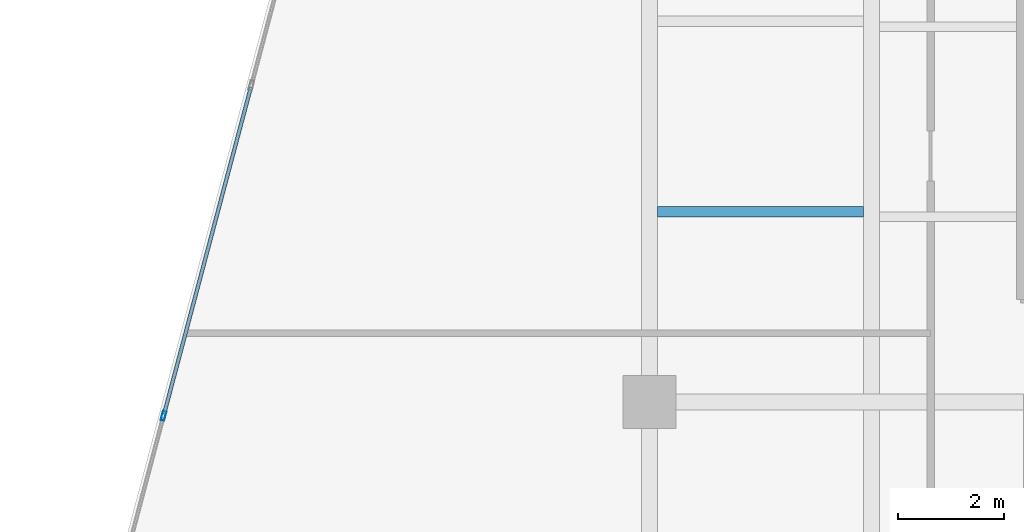
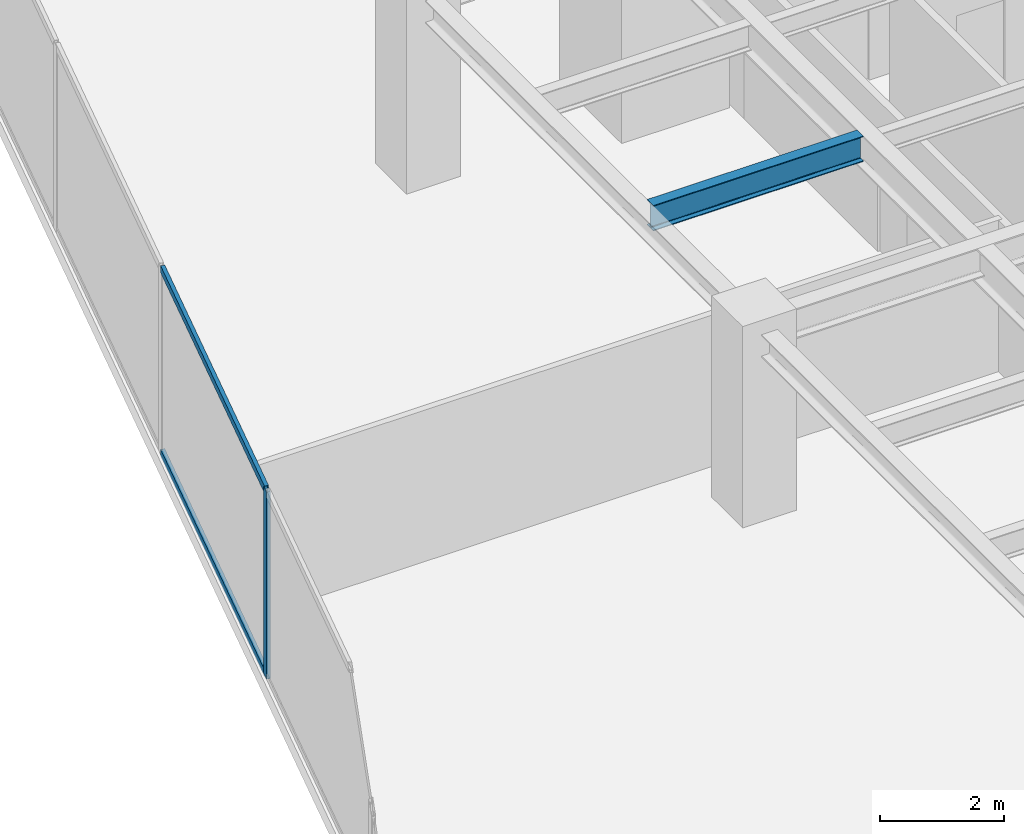
# One storey, part 8 of 27: 3 members, 1 beam, 1 element without a shape of its own.
"""IFC4 building model written with IfcOpenShell, lengths in metres."""

import ifcopenshell
import ifcopenshell.guid

model = None  # the IFC model being written
_history = None  # IfcOwnerHistory: only IFC2X3 demands one
_inside = {}  # id of a spatial element -> (the spatial element, [elements in it])
_under = {}  # id of a project, library or spatial element -> (it, [spatial elements below it])
_declared = {}  # id of a project -> (the project, [libraries it declares])
_typed = {}  # id of a type object -> (the type object, [elements of that type])
_made_of = {}  # id of a material, layer set ... -> (it, [elements and type objects made of it])


def new_model(schema):
    """Start an empty IFC model of exactly this schema.

    Asked for "IFC4X3", IfcOpenShell would pick the latest addendum, in which some entities
    have other attributes; the version numbers below select the first issue.
    IFC2X3 requires an IfcOwnerHistory on every rooted entity: one is made here for all.
    """
    global model, _history
    if schema == "IFC4X3":
        model = ifcopenshell.file(schema_version=(4, 3, 0, 0))
    else:
        model = ifcopenshell.file(schema=schema)
    _inside.clear()
    _under.clear()
    _declared.clear()
    _typed.clear()
    _made_of.clear()
    _history = None
    if model.schema == "IFC2X3":
        org = make("IfcOrganization", Name="unknown")
        user = make(
            "IfcPersonAndOrganization",
            ThePerson=make("IfcPerson", FamilyName="unknown"),
            TheOrganization=org,
        )
        app = make(
            "IfcApplication",
            ApplicationDeveloper=org,
            Version="unknown",
            ApplicationFullName="unknown",
            ApplicationIdentifier="unknown",
        )
        _history = make(
            "IfcOwnerHistory",
            OwningUser=user,
            OwningApplication=app,
            ChangeAction="ADDED",
            CreationDate=0,
        )
    return model


def make(cls, **values):
    """One entity of the class cls with the attributes given. An attribute that is None is left unset."""
    return model.create_entity(
        cls, **{name: value for name, value in values.items() if value is not None}
    )


def rooted(cls, **values):
    """An entity with a GlobalId (a new one), such as an element, a storey or a relation."""
    return make(cls, GlobalId=ifcopenshell.guid.new(), OwnerHistory=_history, **values)


def si_unit(unit_type, name, prefix=None):
    """IfcSIUnit, for example si_unit("LENGTHUNIT", "METRE", prefix="MILLI")."""
    return make("IfcSIUnit", UnitType=unit_type, Prefix=prefix, Name=name)


def assignment(units):
    """IfcUnitAssignment: the units of a project."""
    return None if units is None else make("IfcUnitAssignment", Units=units)


def point(xyz):
    """IfcCartesianPoint."""
    return None if xyz is None else make("IfcCartesianPoint", Coordinates=xyz)


def direction(xyz):
    """IfcDirection."""
    return None if xyz is None else make("IfcDirection", DirectionRatios=xyz)


def frame(location, z_axis=None, x_axis=None):
    """IfcAxis2Placement3D, a coordinate frame: its origin and axes. An axis left out is left unset."""
    return make(
        "IfcAxis2Placement3D",
        Location=point(location),
        Axis=direction(z_axis),
        RefDirection=direction(x_axis),
    )


def frame_2d(location, x_axis=None):
    """IfcAxis2Placement2D, a coordinate frame in the plane: its origin and x axis."""
    return make(
        "IfcAxis2Placement2D", Location=point(location), RefDirection=direction(x_axis)
    )


def origin():
    """The frame at (0, 0, 0) with its axes left unset."""
    return frame((0.0, 0.0, 0.0))


def origin_2d():
    """The frame at (0, 0) in the plane with its x axis left unset."""
    return frame_2d((0.0, 0.0))


def place(relative_to, where):
    """IfcLocalPlacement: puts the frame where relative to a parent placement (None: the world)."""
    return make(
        "IfcLocalPlacement", PlacementRelTo=relative_to, RelativePlacement=where
    )


def context(
    kind, dimensions, precision=None, world=None, true_north=None, identifier=None
):
    """IfcGeometricRepresentationContext, for example the 3D "Model" context."""
    return make(
        "IfcGeometricRepresentationContext",
        ContextIdentifier=identifier,
        ContextType=kind,
        CoordinateSpaceDimension=dimensions,
        Precision=precision,
        WorldCoordinateSystem=world,
        TrueNorth=true_north,
    )


def subcontext(parent, identifier, kind, view, scale=None):
    """IfcGeometricRepresentationSubContext, for example "Body" below "Model"."""
    return make(
        "IfcGeometricRepresentationSubContext",
        ContextIdentifier=identifier,
        ContextType=kind,
        ParentContext=parent,
        TargetScale=scale,
        TargetView=view,
    )


def project(units=None, contexts=None):
    """IfcProject with its units and contexts."""
    return rooted(
        "IfcProject",
        Name="project",
        RepresentationContexts=contexts,
        UnitsInContext=assignment(units),
    )


def spatial(cls, under=None, at=None, **own):
    """A site, building, storey or space (cls), placed at a placement, below another one or the project."""
    s = rooted(cls, ObjectPlacement=at, **own)
    if under is not None:
        _under.setdefault(under.id(), (under, []))[1].append(s)
    return s


def profile(cls, at=None, kind="AREA", **sizes):
    """A parametric profile (cls). Its sizes go by their IFC names, for example OverallWidth=200.0."""
    return make(cls, ProfileType=kind, Position=at, **sizes)


def hollow_rectangle(**sizes):
    """IfcRectangleHollowProfileDef."""
    return profile("IfcRectangleHollowProfileDef", **sizes)


def i_section(**sizes):
    """IfcIShapeProfileDef."""
    return profile("IfcIShapeProfileDef", **sizes)


def extrude(swept, where, along, depth):
    """IfcExtrudedAreaSolid: the profile swept, set in the frame where, extruded along a direction by depth."""
    return make(
        "IfcExtrudedAreaSolid",
        SweptArea=swept,
        Position=where,
        ExtrudedDirection=direction(along),
        Depth=depth,
    )


def shape(context_of_items, identifier, shape_type, items):
    """IfcShapeRepresentation: the items that make up one representation, for example the "Body"."""
    return make(
        "IfcShapeRepresentation",
        ContextOfItems=context_of_items,
        RepresentationIdentifier=identifier,
        RepresentationType=shape_type,
        Items=items,
    )


def source(mapping_origin, context_of_items, identifier, shape_type, items):
    """IfcRepresentationMap: a shape defined once, which mapped items show again and again."""
    return make(
        "IfcRepresentationMap",
        MappingOrigin=mapping_origin,
        MappedRepresentation=shape(context_of_items, identifier, shape_type, items),
    )


def transform(
    local_origin,
    x_axis=None,
    y_axis=None,
    z_axis=None,
    scale=None,
    scale2=None,
    scale3=None,
    uniform=True,
):
    """IfcCartesianTransformationOperator3D, or its non-uniform kind. x_axis, y_axis, z_axis: its Axis1, 2, 3."""
    if uniform:
        return make(
            "IfcCartesianTransformationOperator3D",
            Axis1=direction(x_axis),
            Axis2=direction(y_axis),
            LocalOrigin=point(local_origin),
            Scale=scale,
            Axis3=direction(z_axis),
        )
    return make(
        "IfcCartesianTransformationOperator3DnonUniform",
        Axis1=direction(x_axis),
        Axis2=direction(y_axis),
        LocalOrigin=point(local_origin),
        Scale=scale,
        Axis3=direction(z_axis),
        Scale2=scale2,
        Scale3=scale3,
    )


def mapped(mapping_source, mapping_target):
    """IfcMappedItem: shows the shape of a source again, moved by a transform."""
    return make(
        "IfcMappedItem", MappingSource=mapping_source, MappingTarget=mapping_target
    )


def material(Name=None, Category=None):
    """IfcMaterial."""
    return make("IfcMaterial", Name=Name, Category=Category)


def material_profile(
    of_material, cross_section, Name=None, Category=None, Priority=None
):
    """IfcMaterialProfile: a cross section and its material."""
    return make(
        "IfcMaterialProfile",
        Name=Name,
        Material=of_material,
        Profile=cross_section,
        Priority=Priority,
        Category=Category,
    )


def profile_set(profiles, Name=None, composite=None):
    """IfcMaterialProfileSet."""
    return make(
        "IfcMaterialProfileSet",
        Name=Name,
        MaterialProfiles=profiles,
        CompositeProfile=composite,
    )


def made_of(thing, what):
    """Note that an element or type object is made of a material, layer set ...; save() writes the relation."""
    if what is not None:
        _made_of.setdefault(what.id(), (what, []))[1].append(thing)
    return thing


def type_object(cls, material=None, **own):
    """A type object (cls), such as IfcWallType, which elements share."""
    return made_of(rooted(cls, **own), material)


def type_shapes(of_type, sources):
    """Give a type object the sources (RepresentationMaps) that its elements show as mapped items."""
    of_type.RepresentationMaps = sources


def element(
    cls,
    number,
    at=None,
    inside=None,
    cuts=None,
    type_object=None,
    material=None,
    context=None,
    identifier="Body",
    shape_type=None,
    held_by="IfcProductDefinitionShape",
    body=None,
    shapes=None,
    **own,
):
    """One element of the class cls, such as IfcWall. Its Tag is "e" and its number.

    at: its placement. inside: the storey or other place that contains it. cuts: it is an
    opening in that element (IfcRelVoidsElement). A single representation is given by context,
    identifier, shape_type and body (its items); several are given by shapes. held_by: the class
    of the entity that holds the representations. save() writes the other relations.
    """
    e = rooted(cls, Tag="e%d" % number, ObjectPlacement=at, **own)
    if body is not None:
        shapes = [shape(context, identifier, shape_type, body)]
    if shapes is not None:
        e.Representation = make(held_by, Representations=shapes)
    if inside is not None:
        _inside.setdefault(inside.id(), (inside, []))[1].append(e)
    if cuts is not None:
        rooted(
            "IfcRelVoidsElement", RelatingBuildingElement=cuts, RelatedOpeningElement=e
        )
    if type_object is not None:
        _typed.setdefault(type_object.id(), (type_object, []))[1].append(e)
    return made_of(e, material)


def aggregate(whole, parts):
    """IfcRelAggregates: a whole, such as a stair, and the parts it consists of."""
    return rooted("IfcRelAggregates", RelatingObject=whole, RelatedObjects=parts)


def save(model, path):
    """Write the relations noted so far, then the file.

    IfcRelAggregates (storeys below a building ...), IfcRelContainedInSpatialStructure (elements
    in a storey), IfcRelDefinesByType, IfcRelAssociatesMaterial and IfcRelDeclares: one each for
    every whole, place, type object, material and project.
    """
    for whole, parts in _under.values():
        aggregate(whole, parts)
    for where, things in _inside.values():
        rooted(
            "IfcRelContainedInSpatialStructure",
            RelatedElements=things,
            RelatingStructure=where,
        )
    for kind, things in _typed.values():
        rooted("IfcRelDefinesByType", RelatedObjects=things, RelatingType=kind)
    for what, things in _made_of.values():
        rooted("IfcRelAssociatesMaterial", RelatedObjects=things, RelatingMaterial=what)
    for by, libraries in _declared.values():
        rooted("IfcRelDeclares", RelatingContext=by, RelatedDefinitions=libraries)
    model.write(path)


model = new_model("IFC4")

# Units and contexts
model_context = context("Model", 3, precision=1e-05, world=origin(), true_north=direction((0.0, 1.0)))
body_context = subcontext(model_context, "Body", "Model", "MODEL_VIEW")
ifc_project = project(units=[si_unit("LENGTHUNIT", "METRE"), si_unit("AREAUNIT", "SQUARE_METRE"), si_unit("VOLUMEUNIT", "CUBIC_METRE"), si_unit("PLANEANGLEUNIT", "RADIAN"), si_unit("MASSUNIT", "GRAM", prefix="KILO")], contexts=[model_context])

# Site, building, storey
site_placement = place(None, origin())
site = spatial("IfcSite", under=ifc_project, at=site_placement, CompositionType="ELEMENT")
building_placement = place(site_placement, origin())
building = spatial("IfcBuilding", under=site, at=building_placement, Name="Krantzveldt Concourse Tower", CompositionType="ELEMENT")
storey_placement = place(building_placement, frame((0.0, 0.0, 105.85009765625)))
storey = spatial("IfcBuildingStorey", under=building, at=storey_placement, Name="L25", CompositionType="ELEMENT", Elevation=105.85009765625)

# Beam
ifc_material_1 = material(Name="Steel S355JR", Category="steel")
ifc_material_profile_1 = material_profile(ifc_material_1, i_section(OverallWidth=0.199951171875, OverallDepth=0.5, WebThickness=0.01025390625, FlangeThickness=0.01611328125, FilletRadius=0.02099609375, at=origin_2d()), Name="Steel S355JR", Category="steel")
ifc_profile_set_1 = profile_set([ifc_material_profile_1], Name="Steel S355JR - IPE 500")
beam_type = type_object("IfcBeamType", Name="BM-J-IPE500", PredefinedType="JOIST", material=ifc_profile_set_1)
shared_shape_1 = source(origin(), body_context, "Body", "SweptSolid", [
    extrude(i_section(OverallWidth=0.199951171875, OverallDepth=0.5, WebThickness=0.01025390625, FlangeThickness=0.01611328125, FilletRadius=0.02099609375, at=origin_2d()), origin(), (0.0, 0.0, 1.0), 3.900146484375),
])
type_shapes(beam_type, [shared_shape_1])
beam_placement = place(storey_placement, frame((21.14990234375, 30.300048828125, 3.419921875), z_axis=(1.0, 0.0, 0.0), x_axis=(0.0, 1.0, 0.0)))
element("IfcBeam", 1, at=beam_placement, inside=storey, type_object=beam_type, Name="L25 Secondary Floor Joist JW-3", PredefinedType="JOIST", context=body_context, shape_type="MappedRepresentation", body=[
    mapped(shared_shape_1, transform((0.0, 0.0, 0.0), x_axis=(1.0, 0.0, 0.0), y_axis=(0.0, 1.0, 0.0), z_axis=(0.0, 0.0, 1.0), scale=1.0)),
])

# Curtain wall, members
ifc_material_2 = material(Name="Anodised aluminium 6063-T6", Category="aluminium")
curtain_wall_type = type_object("IfcCurtainWallType", Name="CW2", PredefinedType="USERDEFINED", material=ifc_material_2)
curtain_wall_placement = place(storey_placement, origin())
curtain_wall = element("IfcCurtainWall", 2, at=curtain_wall_placement, inside=storey, type_object=curtain_wall_type, Name="CW-L25-F01", ObjectType="UNITISED CURTAIN WALL", PredefinedType="USERDEFINED")
ifc_material_profile_2 = material_profile(ifc_material_2, hollow_rectangle(XDim=0.070068359375, YDim=0.179931640625, WallThickness=0.0048828125, at=origin_2d()), Name="Anodised aluminium 6063-T6", Category="aluminium")
ifc_profile_set_2 = profile_set([ifc_material_profile_2], Name="Anodised aluminium 6063-T6 - ALU-MULL 180x70x5")
member_type_1 = type_object("IfcMemberType", Name="CW-MUL-180", PredefinedType="MULLION", material=ifc_profile_set_2)
shared_shape_2 = source(origin(), body_context, "Body", "SweptSolid", [
    extrude(hollow_rectangle(XDim=0.070068359375, YDim=0.179931640625, WallThickness=0.0048828125, at=origin_2d()), origin(), (0.0, 0.0, 1.0), 3.669921875),
])
type_shapes(member_type_1, [shared_shape_2])
member_1_placement = place(storey_placement, frame((11.81103515625, 26.43408203125, 0.0), z_axis=(0.0, 0.0, 1.0), x_axis=(0.966488186373, -0.256711093648, 0.0)))
member_1 = element("IfcMember", 3, at=member_1_placement, type_object=member_type_1, Name="CW-Z12 mullion 5", PredefinedType="MULLION", context=body_context, shape_type="MappedRepresentation", body=[
    mapped(shared_shape_2, transform((0.0, 0.0, 0.0), x_axis=(1.0, 0.0, 0.0), y_axis=(0.0, 1.0, 0.0), z_axis=(0.0, 0.0, 1.0), scale=1.0)),
])
ifc_material_profile_3 = material_profile(ifc_material_2, hollow_rectangle(XDim=0.070068359375, YDim=0.139892578125, WallThickness=0.0048828125, at=origin_2d()), Name="Anodised aluminium 6063-T6", Category="aluminium")
ifc_profile_set_3 = profile_set([ifc_material_profile_3], Name="Anodised aluminium 6063-T6 - ALU-TRAN 140x70x5")
member_type_2 = type_object("IfcMemberType", Name="CW-TRN-150", PredefinedType="USERDEFINED", material=ifc_profile_set_3)
shared_shape_3 = source(origin(), body_context, "Body", "SweptSolid", [
    extrude(hollow_rectangle(XDim=0.070068359375, YDim=0.139892578125, WallThickness=0.0048828125, at=origin_2d()), origin(), (0.0, 0.0, 1.0), 6.396728515625),
])
type_shapes(member_type_2, [shared_shape_3])
member_2_placement = place(storey_placement, frame((13.462158203125, 32.650146484375, 0.034912109375), z_axis=(-0.256707571528, -0.966489121884, 0.0), x_axis=(0.966489121884, -0.256707571528, 0.0)))
member_2 = element("IfcMember", 4, at=member_2_placement, type_object=member_type_2, Name="CW-Z12 transom 4.1", ObjectType="TRANSOM", PredefinedType="USERDEFINED", context=body_context, shape_type="MappedRepresentation", body=[
    mapped(shared_shape_3, transform((0.0, 0.0, 0.0), x_axis=(1.0, 0.0, 0.0), y_axis=(0.0, 1.0, 0.0), z_axis=(0.0, 0.0, 1.0), scale=1.0)),
])
member_3_placement = place(storey_placement, frame((13.462158203125, 32.650146484375, 3.635009765625), z_axis=(-0.256707571528, -0.966489121884, 0.0), x_axis=(0.966489121884, -0.256707571528, 0.0)))
member_3 = element("IfcMember", 5, at=member_3_placement, type_object=member_type_2, Name="CW-Z12 transom 4.2", ObjectType="TRANSOM", PredefinedType="USERDEFINED", context=body_context, shape_type="MappedRepresentation", body=[
    mapped(shared_shape_3, transform((0.0, 0.0, 0.0), x_axis=(1.0, 0.0, 0.0), y_axis=(0.0, 1.0, 0.0), z_axis=(0.0, 0.0, 1.0), scale=1.0)),
])
aggregate(curtain_wall, [member_1, member_2, member_3])

save(model, "model.ifc")
